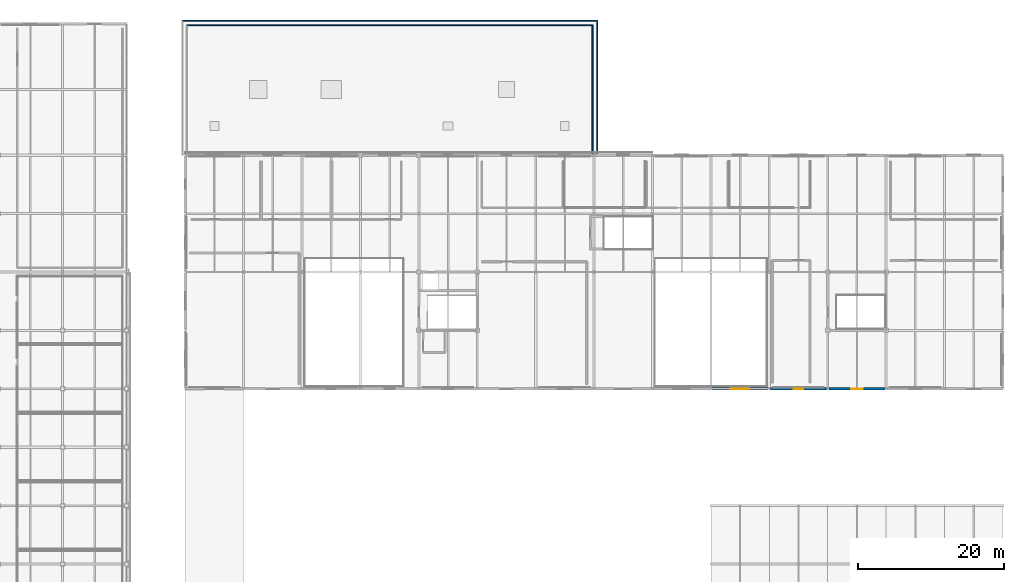
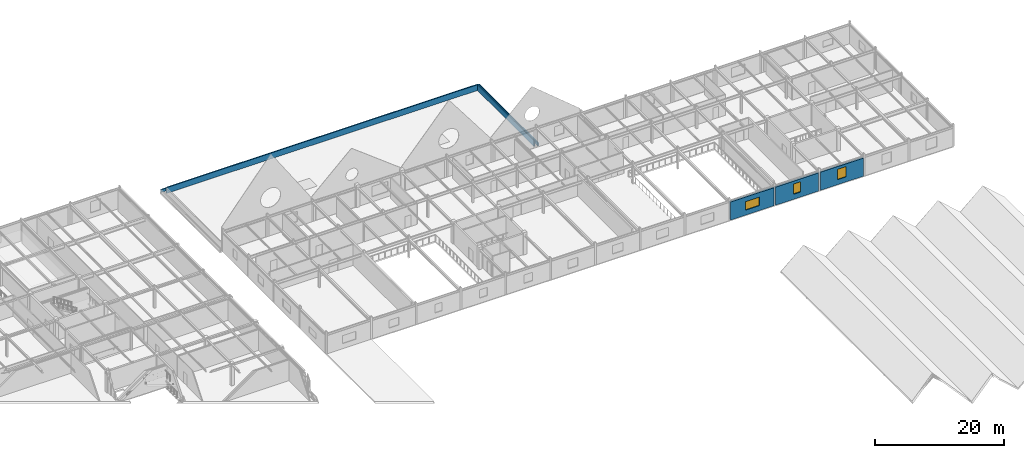
# One storey, part 81 of 88: 7 walls, 3 windows, 3 openings.
"""IFC4 building model written with IfcOpenShell, lengths in metres."""

from ifc_helpers import new_model, si_unit, direction, frame, frame_2d, origin, place, context, subcontext, project, spatial, rectangle, extrude, material, layer, layer_set, type_object, element, fill, save


model = new_model("IFC4")

# Units and contexts
model_context = context("Model", 3, precision=1e-05, world=origin(), true_north=direction((0.0, 1.0)))
body_context = subcontext(model_context, "Body", "Model", "MODEL_VIEW")
ifc_project = project(units=[si_unit("LENGTHUNIT", "METRE"), si_unit("AREAUNIT", "SQUARE_METRE"), si_unit("VOLUMEUNIT", "CUBIC_METRE"), si_unit("PLANEANGLEUNIT", "RADIAN"), si_unit("MASSUNIT", "GRAM", prefix="KILO")], contexts=[model_context])

# Site, building, storey
site_placement = place(None, origin())
site = spatial("IfcSite", under=ifc_project, at=site_placement, CompositionType="ELEMENT")
building_placement = place(site_placement, origin())
building = spatial("IfcBuilding", under=site, at=building_placement, Name="Zhaolan Boulevard Law Courts", CompositionType="ELEMENT")
storey_placement = place(building_placement, frame((0.0, 0.0, 16.199951171875)))
storey = spatial("IfcBuildingStorey", under=building, at=storey_placement, Name="L03", CompositionType="ELEMENT", Elevation=16.199951171875)

# Walls
ifc_material_1 = material(Name="Concrete C40", Category="concrete")
ifc_layer_1 = layer(ifc_material_1, 0.159912109375)
ifc_layer_set_1 = layer_set([ifc_layer_1])
wall_type_1 = type_object("IfcWallType", Name="EXT WALL ARCH CLAD160", PredefinedType="SOLIDWALL", material=ifc_layer_set_1)
wall_1_placement = place(storey_placement, frame((108.419921875, 112.419921875, 0.0), z_axis=(0.0, 0.0, 1.0), x_axis=(-1.0, 0.0, 0.0)))
element("IfcWall", 1, at=wall_1_placement, inside=storey, type_object=wall_type_1, Name="Custody Concrete Spandrel Band CBW-259", PredefinedType="SOLIDWALL", context=body_context, shape_type="SweptSolid", body=[
    extrude(rectangle(XDim=56.83984375, YDim=0.159912109375, at=frame_2d((28.419921875, 0.0))), origin(), (0.0, 0.0, 1.0), 0.550048828125),
])
wall_2_placement = place(storey_placement, frame((108.419921875, 94.0, 0.0), z_axis=(0.0, 0.0, 1.0), x_axis=(0.0, 1.0, 0.0)))
element("IfcWall", 2, at=wall_2_placement, inside=storey, type_object=wall_type_1, Name="Custody Concrete Spandrel Band CBW-260", PredefinedType="SOLIDWALL", context=body_context, shape_type="SweptSolid", body=[
    extrude(rectangle(XDim=18.419921875, YDim=0.159912109375, at=frame_2d((9.2099609375, 0.0))), origin(), (0.0, 0.0, 1.0), 0.550048828125),
])

# Wall, opening, window
ifc_material_2 = material(Name="Concrete C40", Category="concrete")
ifc_layer_2 = layer(ifc_material_2, 0.300048828125)
ifc_layer_set_2 = layer_set([ifc_layer_2])
wall_type_2 = type_object("IfcWallType", Name="EXT WALL CONCRETE300", PredefinedType="SOLIDWALL", material=ifc_layer_set_2)
wall_3_placement = place(storey_placement, frame((124.14599609375, 62.0, 0.0), z_axis=(0.0, 0.0, 1.0), x_axis=(1.0, 0.0, 0.0)))
wall_3 = element("IfcWall", 3, at=wall_3_placement, inside=storey, type_object=wall_type_2, Name="Exterior Wall EW-L03-279", PredefinedType="SOLIDWALL", context=body_context, shape_type="SweptSolid", body=[
    extrude(rectangle(XDim=7.7080078125, YDim=0.300048828125, at=frame_2d((3.85400390625, 0.0))), origin(), (0.0, 0.0, 1.0), 3.423095703125),
])
opening_1_placement = place(wall_3_placement, frame((2.60400390625, 0.0, 0.949951171875)))
opening_1 = element("IfcOpeningElement", 4, at=opening_1_placement, cuts=wall_3, Name="Opening WIN-L03-136", PredefinedType="OPENING", context=body_context, shape_type="SweptSolid", body=[
    extrude(rectangle(XDim=2.5, YDim=1.60009765625, at=frame_2d((1.25, 0.800048828125))), frame((0.0, 0.159912109375, 0.0), z_axis=(0.0, -1.0, 0.0), x_axis=(1.0, 0.0, 0.0)), (0.0, 0.0, 1.0), 0.320068359375),
])
ifc_material_3 = material(Name="Thermally broken aluminium and low-E glazing", Category="aluminium")
window_type_1 = type_object("IfcWindowType", Name="WINDOW 2500X1600", PartitioningType="DOUBLE_PANEL_VERTICAL", PredefinedType="WINDOW", material=ifc_material_3)
window_1_placement = place(opening_1_placement, origin())
window_1 = element("IfcWindow", 5, at=window_1_placement, inside=storey, type_object=window_type_1, Name="Exterior Window WIN-L03-136", OverallHeight=1.60009765625, OverallWidth=2.5, PartitioningType="SINGLE_PANEL", PredefinedType="WINDOW", context=body_context, shape_type="SweptSolid", body=[
    extrude(rectangle(XDim=2.5, YDim=1.60009765625, at=frame_2d((1.25, 0.800048828125))), frame((0.0, 0.030029296875, 0.0), z_axis=(0.0, -1.0, 0.0), x_axis=(1.0, 0.0, 0.0)), (0.0, 0.0, 1.0), 0.06005859375),
])
fill(opening_1, window_1)

wall_4_placement = place(storey_placement, frame((132.14599609375, 62.0, 0.0), z_axis=(0.0, 0.0, 1.0), x_axis=(1.0, 0.0, 0.0)))
wall_4 = element("IfcWall", 6, at=wall_4_placement, inside=storey, type_object=wall_type_2, Name="Exterior Wall EW-L03-280", PredefinedType="SOLIDWALL", context=body_context, shape_type="SweptSolid", body=[
    extrude(rectangle(XDim=7.7080078125, YDim=0.300048828125, at=frame_2d((3.85400390625, 0.0))), origin(), (0.0, 0.0, 1.0), 3.423095703125),
])
opening_2_placement = place(wall_4_placement, frame((3.2041015625, 0.0, 0.949951171875)))
opening_2 = element("IfcOpeningElement", 7, at=opening_2_placement, cuts=wall_4, Name="Opening WIN-L03-137", PredefinedType="OPENING", context=body_context, shape_type="SweptSolid", body=[
    extrude(rectangle(XDim=1.300048828125, YDim=1.949951171875, at=frame_2d((0.64990234375, 0.97509765625))), frame((0.0, 0.159912109375, 0.0), z_axis=(0.0, -1.0, 0.0), x_axis=(1.0, 0.0, 0.0)), (0.0, 0.0, 1.0), 0.320068359375),
])
ifc_material_4 = material(Name="Thermally broken aluminium and low-E glazing", Category="aluminium")
window_type_2 = type_object("IfcWindowType", Name="WINDOW 1300X1950", PartitioningType="SINGLE_PANEL", PredefinedType="WINDOW", material=ifc_material_4)
window_2_placement = place(opening_2_placement, origin())
window_2 = element("IfcWindow", 8, at=window_2_placement, inside=storey, type_object=window_type_2, Name="Exterior Window WIN-L03-137", OverallHeight=1.949951171875, OverallWidth=1.300048828125, PartitioningType="SINGLE_PANEL", PredefinedType="WINDOW", context=body_context, shape_type="SweptSolid", body=[
    extrude(rectangle(XDim=1.300048828125, YDim=1.949951171875, at=frame_2d((0.64990234375, 0.97509765625))), frame((0.0, 0.030029296875, 0.0), z_axis=(0.0, -1.0, 0.0), x_axis=(1.0, 0.0, 0.0)), (0.0, 0.0, 1.0), 0.06005859375),
])
fill(opening_2, window_2)

wall_5_placement = place(storey_placement, frame((140.14599609375, 62.0, 0.0), z_axis=(0.0, 0.0, 1.0), x_axis=(1.0, 0.0, 0.0)))
wall_5 = element("IfcWall", 9, at=wall_5_placement, inside=storey, type_object=wall_type_2, Name="Exterior Wall EW-L03-281", PredefinedType="SOLIDWALL", context=body_context, shape_type="SweptSolid", body=[
    extrude(rectangle(XDim=7.7080078125, YDim=0.300048828125, at=frame_2d((3.85400390625, 0.0))), origin(), (0.0, 0.0, 1.0), 3.423095703125),
])
opening_3_placement = place(wall_5_placement, frame((3.0791015625, 0.0, 0.949951171875)))
opening_3 = element("IfcOpeningElement", 10, at=opening_3_placement, cuts=wall_5, Name="Opening WIN-L03-138", PredefinedType="OPENING", context=body_context, shape_type="SweptSolid", body=[
    extrude(rectangle(XDim=1.550048828125, YDim=1.949951171875, at=frame_2d((0.77490234375, 0.97509765625))), frame((0.0, 0.159912109375, 0.0), z_axis=(0.0, -1.0, 0.0), x_axis=(1.0, 0.0, 0.0)), (0.0, 0.0, 1.0), 0.320068359375),
])
ifc_material_5 = material(Name="Thermally broken aluminium and low-E glazing", Category="aluminium")
window_type_3 = type_object("IfcWindowType", Name="WINDOW 1550X1950", PartitioningType="SINGLE_PANEL", PredefinedType="WINDOW", material=ifc_material_5)
window_3_placement = place(opening_3_placement, origin())
window_3 = element("IfcWindow", 11, at=window_3_placement, inside=storey, type_object=window_type_3, Name="Exterior Window WIN-L03-138", OverallHeight=1.949951171875, OverallWidth=1.550048828125, PartitioningType="SINGLE_PANEL", PredefinedType="WINDOW", context=body_context, shape_type="SweptSolid", body=[
    extrude(rectangle(XDim=1.550048828125, YDim=1.949951171875, at=frame_2d((0.77490234375, 0.97509765625))), frame((0.0, 0.030029296875, 0.0), z_axis=(0.0, -1.0, 0.0), x_axis=(1.0, 0.0, 0.0)), (0.0, 0.0, 1.0), 0.06005859375),
])
fill(opening_3, window_3)

# Walls
ifc_material_6 = material(Name="Concrete C40", Category="concrete")
ifc_layer_3 = layer(ifc_material_6, 0.179931640625)
ifc_layer_set_3 = layer_set([ifc_layer_3])
wall_type_3 = type_object("IfcWallType", Name="PARAPET CONCRETE180", PredefinedType="PARAPET", material=ifc_layer_set_3)
wall_6_placement = place(storey_placement, frame((107.800048828125, 94.199951171875, 0.0), z_axis=(0.0, 0.0, 1.0), x_axis=(0.0, 1.0, 0.0)))
element("IfcWall", 12, at=wall_6_placement, inside=storey, type_object=wall_type_3, Name="Roof Parapet PAR-V6-E", PredefinedType="PARAPET", context=body_context, shape_type="SweptSolid", body=[
    extrude(rectangle(XDim=17.60009765625, YDim=0.179931640625, at=frame_2d((8.800048828125, 0.0))), origin(), (0.0, 0.0, 1.0), 1.10009765625),
])
ifc_material_7 = material(Name="Concrete C40", Category="concrete")
ifc_layer_4 = layer(ifc_material_7, 0.199951171875)
ifc_layer_set_4 = layer_set([ifc_layer_4])
wall_type_4 = type_object("IfcWallType", Name="PARAPET CONCRETE200", PredefinedType="PARAPET", material=ifc_layer_set_4)
wall_7_placement = place(storey_placement, frame((52.199951171875, 111.800048828125, 0.0), z_axis=(0.0, 0.0, 1.0), x_axis=(1.0, 0.0, 0.0)))
element("IfcWall", 13, at=wall_7_placement, inside=storey, type_object=wall_type_4, Name="Roof Parapet PAR-V6-N", PredefinedType="PARAPET", context=body_context, shape_type="SweptSolid", body=[
    extrude(rectangle(XDim=55.60009765625, YDim=0.199951171875, at=frame_2d((27.800048828125, 0.0))), origin(), (0.0, 0.0, 1.0), 1.10009765625),
])

save(model, "model.ifc")
